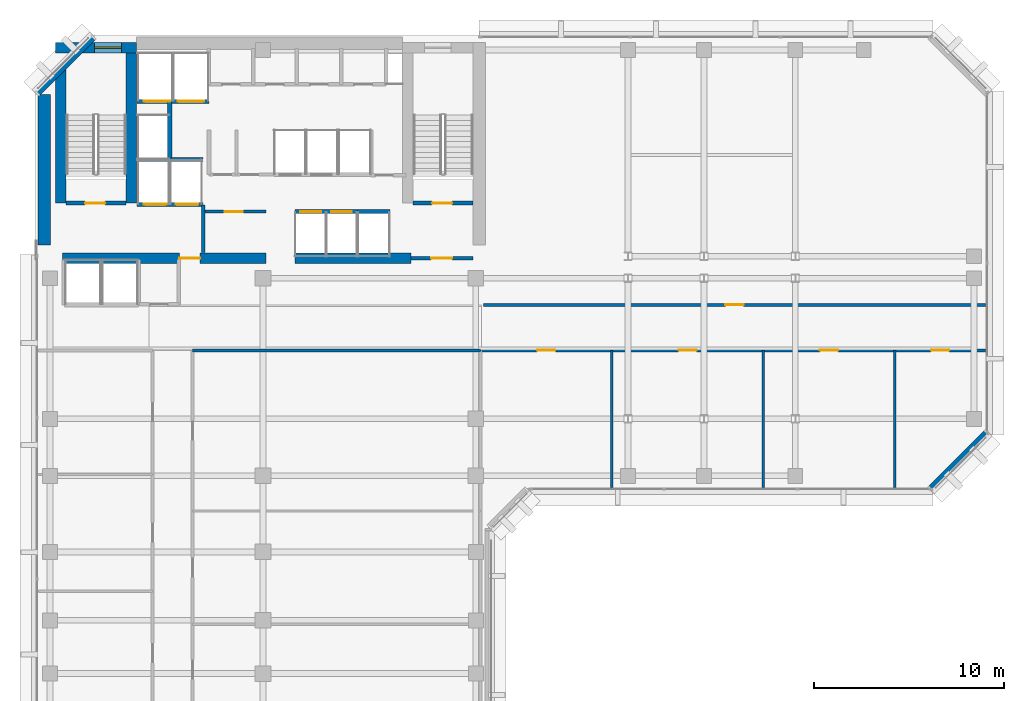
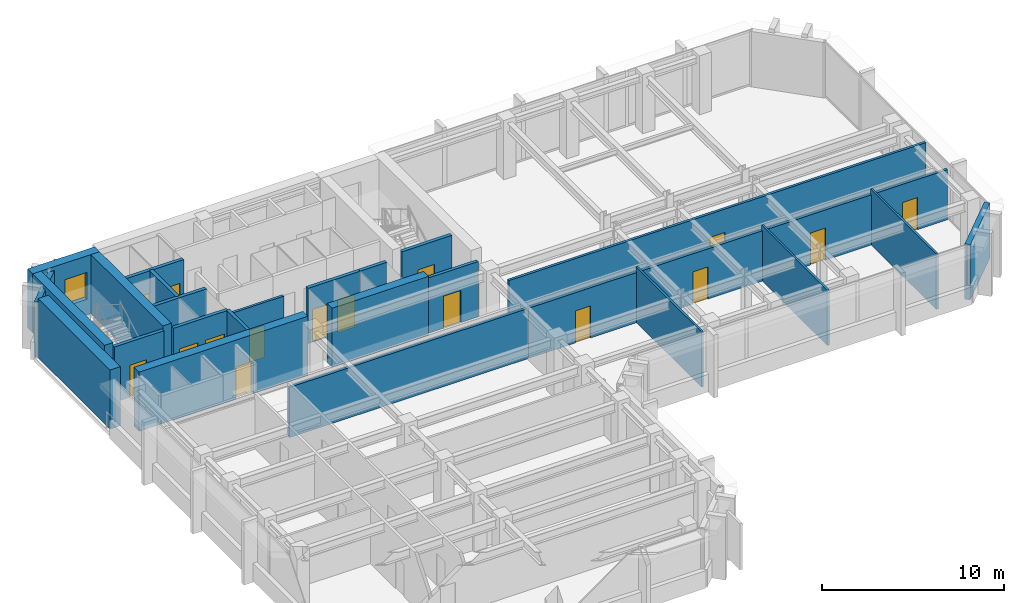
# One storey, part 7 of 12: 25 walls, 16 doors, 1 window, 17 openings.
"""IFC4 building model written with IfcOpenShell, lengths in metres."""

from ifc_helpers import new_model, si_unit, direction, frame, frame_2d, origin, place, context, subcontext, project, spatial, rectangle, extrude, material, layer, layer_set, type_object, element, fill, save


model = new_model("IFC4")

# Units and contexts
model_context = context("Model", 3, precision=1e-05, world=origin(), true_north=direction((0.0, 1.0)))
body_context = subcontext(model_context, "Body", "Model", "MODEL_VIEW")
ifc_project = project(units=[si_unit("LENGTHUNIT", "METRE"), si_unit("AREAUNIT", "SQUARE_METRE"), si_unit("VOLUMEUNIT", "CUBIC_METRE"), si_unit("PLANEANGLEUNIT", "RADIAN"), si_unit("MASSUNIT", "GRAM", prefix="KILO")], contexts=[model_context])

# Site, building, storey
site_placement = place(None, origin())
site = spatial("IfcSite", under=ifc_project, at=site_placement, CompositionType="ELEMENT")
building_placement = place(site_placement, origin())
building = spatial("IfcBuilding", under=site, at=building_placement, Name="Kefirva Bronze Tower", CompositionType="ELEMENT")
storey_placement = place(building_placement, frame((0.0, 0.0, 195.360107421875)))
storey = spatial("IfcBuildingStorey", under=building, at=storey_placement, Name="L47", CompositionType="ELEMENT", Elevation=195.360107421875)

# Walls
ifc_material_1 = material(Name="Gypsum acoustic partition")
ifc_layer_1 = layer(ifc_material_1, 0.1298828125, Name="Gypsum acoustic partition")
ifc_layer_set_1 = layer_set([ifc_layer_1], Name="Gypsum acoustic partition")
wall_type_1 = type_object("IfcWallType", Name="Acoustic Office Partition 130mm", PredefinedType="PARTITIONING", material=ifc_layer_set_1)
for number, where, z_axis, x_axis, name in (
    (1, (30.355712890625, 22.18994140625, 0.0), (0.0, 0.0, 1.0), (0.0, 1.0, 0.0), "L47 Partition W-L47-ESD1"),
    (2, (38.323486328125, 22.18994140625, 0.0), (0.0, 0.0, 1.0), (0.0, 1.0, 0.0), "L47 Partition W-L47-ESD2"),
    (3, (45.229248046875, 22.18994140625, 0.0), (0.0, 0.0, 1.0), (0.0, 1.0, 0.0), "L47 Partition W-L47-ESD3"),
):
    element("IfcWall", number, at=place(storey_placement, frame(where, z_axis=z_axis, x_axis=x_axis)), inside=storey, type_object=wall_type_1, Name=name, PredefinedType="PARTITIONING", context=body_context, shape_type="SweptSolid", body=[
        extrude(rectangle(XDim=7.2099609375, YDim=0.1298828125, at=frame_2d((3.60498046875, 0.0))), origin(), (0.0, 0.0, 1.0), 3.7099609375),
    ])

# Wall, opening, door
ifc_material_2 = material(Name="Gypsum fireboard shaftwall")
ifc_layer_2 = layer(ifc_material_2, 0.219970703125, Name="Gypsum fireboard shaftwall")
ifc_layer_set_2 = layer_set([ifc_layer_2], Name="Gypsum fireboard shaftwall")
wall_type_2 = type_object("IfcWallType", Name="Fire-Rated Shaft Enclosure Wall 220mm", PredefinedType="PARTITIONING", material=ifc_layer_set_2)
wall_1_placement = place(storey_placement, frame((1.64990234375, 37.14990234375, 0.0), z_axis=(0.0, 0.0, 1.0), x_axis=(1.0, 0.0, 0.0)))
wall_1 = element("IfcWall", 4, at=wall_1_placement, inside=storey, type_object=wall_type_2, Name="L47 Partition W-L47-ST1S", PredefinedType="PARTITIONING", context=body_context, shape_type="SweptSolid", body=[
    extrude(rectangle(XDim=3.150146484375, YDim=0.219970703125, at=frame_2d((1.5751953125, 0.0))), origin(), (0.0, 0.0, 1.0), 3.7099609375),
])
opening_1_placement = place(wall_1_placement, frame((2.050048828125, 0.0, 0.0), z_axis=(0.0, 0.0, 1.0), x_axis=(-1.0, 0.0, 0.0)))
opening_1 = element("IfcOpeningElement", 5, at=opening_1_placement, cuts=wall_1, Name="Opening L47-D001", PredefinedType="OPENING", context=body_context, shape_type="SweptSolid", body=[
    extrude(rectangle(XDim=1.050048828125, YDim=2.14990234375, at=frame_2d((0.52490234375, 1.074951171875))), frame((0.0, 0.1201171875, 0.0), z_axis=(0.0, -1.0, 0.0), x_axis=(1.0, 0.0, 0.0)), (0.0, 0.0, 1.0), 0.239990234375),
])
ifc_material_3 = material(Name="Painted galvanized steel", Category="steel")
door_type_1 = type_object("IfcDoorType", Name="Fire Stair Enclosure Door 1050x2150 FD90S", OperationType="NOTDEFINED", PredefinedType="DOOR", material=ifc_material_3)
door_1_placement = place(opening_1_placement, origin())
door_1 = element("IfcDoor", 6, at=door_1_placement, inside=storey, type_object=door_type_1, Name="Door L47-D001", OperationType="SINGLE_SWING_LEFT", OverallHeight=2.14990234375, OverallWidth=1.050048828125, PredefinedType="DOOR", context=body_context, shape_type="SweptSolid", body=[
    extrude(rectangle(XDim=1.050048828125, YDim=2.14990234375, at=frame_2d((0.52490234375, 1.074951171875))), frame((0.0, 0.02490234375, 0.0), z_axis=(0.0, -1.0, 0.0), x_axis=(1.0, 0.0, 0.0)), (0.0, 0.0, 1.0), 0.050048828125),
])
fill(opening_1, door_1)

wall_2_placement = place(storey_placement, frame((19.89990234375, 37.14990234375, 0.0), z_axis=(0.0, 0.0, 1.0), x_axis=(1.0, 0.0, 0.0)))
wall_2 = element("IfcWall", 7, at=wall_2_placement, inside=storey, type_object=wall_type_2, Name="L47 Partition W-L47-ST2S", PredefinedType="PARTITIONING", context=body_context, shape_type="SweptSolid", body=[
    extrude(rectangle(XDim=3.150146484375, YDim=0.219970703125, at=frame_2d((1.5751953125, 0.0))), origin(), (0.0, 0.0, 1.0), 3.7099609375),
])
opening_2_placement = place(wall_2_placement, frame((2.050048828125, 0.0, 0.0), z_axis=(0.0, 0.0, 1.0), x_axis=(-1.0, 0.0, 0.0)))
opening_2 = element("IfcOpeningElement", 8, at=opening_2_placement, cuts=wall_2, Name="Opening L47-D003", PredefinedType="OPENING", context=body_context, shape_type="SweptSolid", body=[
    extrude(rectangle(XDim=1.050048828125, YDim=2.14990234375, at=frame_2d((0.52490234375, 1.074951171875))), frame((0.0, 0.1201171875, 0.0), z_axis=(0.0, -1.0, 0.0), x_axis=(1.0, 0.0, 0.0)), (0.0, 0.0, 1.0), 0.239990234375),
])
door_2_placement = place(opening_2_placement, origin())
door_2 = element("IfcDoor", 9, at=door_2_placement, inside=storey, type_object=door_type_1, Name="Door L47-D003", OperationType="SINGLE_SWING_LEFT", OverallHeight=2.14990234375, OverallWidth=1.050048828125, PredefinedType="DOOR", context=body_context, shape_type="SweptSolid", body=[
    extrude(rectangle(XDim=1.050048828125, YDim=2.14990234375, at=frame_2d((0.52490234375, 1.074951171875))), frame((0.0, 0.02490234375, 0.0), z_axis=(0.0, -1.0, 0.0), x_axis=(1.0, 0.0, 0.0)), (0.0, 0.0, 1.0), 0.050048828125),
])
fill(opening_2, door_2)

# Wall, openings, doors
wall_3_placement = place(storey_placement, frame((5.3798828125, 37.080078125, 0.0), z_axis=(0.0, 0.0, 1.0), x_axis=(1.0, 0.0, 0.0)))
wall_3 = element("IfcWall", 10, at=wall_3_placement, inside=storey, type_object=wall_type_2, Name="L47 Partition W-L47-FFS", PredefinedType="PARTITIONING", context=body_context, shape_type="SweptSolid", body=[
    extrude(rectangle(XDim=3.460205078125, YDim=0.219970703125, at=frame_2d((1.72998046875, 0.0))), origin(), (0.0, 0.0, 1.0), 3.7099609375),
])
opening_3_placement = place(wall_3_placement, frame((1.550048828125, 0.0, 0.0), z_axis=(0.0, 0.0, 1.0), x_axis=(-1.0, 0.0, 0.0)))
opening_3 = element("IfcOpeningElement", 11, at=opening_3_placement, cuts=wall_3, Name="Opening L47-LD-FF1", PredefinedType="OPENING", context=body_context, shape_type="SweptSolid", body=[
    extrude(rectangle(XDim=1.199951171875, YDim=2.199951171875, at=frame_2d((0.60009765625, 1.10009765625))), frame((0.0, 0.1201171875, 0.0), z_axis=(0.0, -1.0, 0.0), x_axis=(1.0, 0.0, 0.0)), (0.0, 0.0, 1.0), 0.239990234375),
])
opening_4_placement = place(wall_3_placement, frame((3.219970703125, 0.0, 0.0), z_axis=(0.0, 0.0, 1.0), x_axis=(-1.0, 0.0, 0.0)))
opening_4 = element("IfcOpeningElement", 12, at=opening_4_placement, cuts=wall_3, Name="Opening L47-LD-FF2", PredefinedType="OPENING", context=body_context, shape_type="SweptSolid", body=[
    extrude(rectangle(XDim=1.199951171875, YDim=2.199951171875, at=frame_2d((0.60009765625, 1.10009765625))), frame((0.0, 0.1201171875, 0.0), z_axis=(0.0, -1.0, 0.0), x_axis=(1.0, 0.0, 0.0)), (0.0, 0.0, 1.0), 0.239990234375),
])
ifc_material_4 = material(Name="Stainless steel 316", Category="steel")
door_type_2 = type_object("IfcDoorType", Name="Firefighting Lift Sliding Door 1200x2200", OperationType="SLIDING_TO_RIGHT", PredefinedType="DOOR", material=ifc_material_4)
door_3_placement = place(opening_3_placement, origin())
door_3 = element("IfcDoor", 13, at=door_3_placement, inside=storey, type_object=door_type_2, Name="Door L47-LD-FF1", OperationType="SLIDING_TO_RIGHT", OverallHeight=2.199951171875, OverallWidth=1.199951171875, PredefinedType="DOOR", context=body_context, shape_type="SweptSolid", body=[
    extrude(rectangle(XDim=1.199951171875, YDim=2.199951171875, at=frame_2d((0.60009765625, 1.10009765625))), frame((0.0, 0.02490234375, 0.0), z_axis=(0.0, -1.0, 0.0), x_axis=(1.0, 0.0, 0.0)), (0.0, 0.0, 1.0), 0.050048828125),
])
fill(opening_3, door_3)
door_4_placement = place(opening_4_placement, origin())
door_4 = element("IfcDoor", 14, at=door_4_placement, inside=storey, type_object=door_type_2, Name="Door L47-LD-FF2", OperationType="SLIDING_TO_RIGHT", OverallHeight=2.199951171875, OverallWidth=1.199951171875, PredefinedType="DOOR", context=body_context, shape_type="SweptSolid", body=[
    extrude(rectangle(XDim=1.199951171875, YDim=2.199951171875, at=frame_2d((0.60009765625, 1.10009765625))), frame((0.0, 0.02490234375, 0.0), z_axis=(0.0, -1.0, 0.0), x_axis=(1.0, 0.0, 0.0)), (0.0, 0.0, 1.0), 0.050048828125),
])
fill(opening_4, door_4)

# Wall
wall_4_placement = place(storey_placement, frame((5.3798828125, 39.449951171875, 0.0), z_axis=(0.0, 0.0, 1.0), x_axis=(1.0, 0.0, 0.0)))
element("IfcWall", 15, at=wall_4_placement, inside=storey, type_object=wall_type_2, Name="L47 Partition W-L47-FFN", PredefinedType="PARTITIONING", context=body_context, shape_type="SweptSolid", body=[
    extrude(rectangle(XDim=3.460205078125, YDim=0.219970703125, at=frame_2d((1.72998046875, 0.0))), origin(), (0.0, 0.0, 1.0), 3.7099609375),
])

# Wall, openings, doors
wall_5_placement = place(storey_placement, frame((5.3798828125, 42.5, 0.0), z_axis=(0.0, 0.0, 1.0), x_axis=(1.0, 0.0, 0.0)))
wall_5 = element("IfcWall", 16, at=wall_5_placement, inside=storey, type_object=wall_type_2, Name="L47 Partition W-L47-SVS", PredefinedType="PARTITIONING", context=body_context, shape_type="SweptSolid", body=[
    extrude(rectangle(XDim=3.77001953125, YDim=0.219970703125, at=frame_2d((1.885009765625, 0.0))), origin(), (0.0, 0.0, 1.0), 3.7099609375),
])
opening_5_placement = place(wall_5_placement, frame((1.75, 0.0, 0.0), z_axis=(0.0, 0.0, 1.0), x_axis=(-1.0, 0.0, 0.0)))
opening_5 = element("IfcOpeningElement", 17, at=opening_5_placement, cuts=wall_5, Name="Opening L47-LD-SV1", PredefinedType="OPENING", context=body_context, shape_type="SweptSolid", body=[
    extrude(rectangle(XDim=1.39990234375, YDim=2.199951171875, at=frame_2d((0.699951171875, 1.10009765625))), frame((0.0, 0.1201171875, 0.0), z_axis=(0.0, -1.0, 0.0), x_axis=(1.0, 0.0, 0.0)), (0.0, 0.0, 1.0), 0.239990234375),
])
opening_6_placement = place(wall_5_placement, frame((3.52978515625, 0.0, 0.0), z_axis=(0.0, 0.0, 1.0), x_axis=(-1.0, 0.0, 0.0)))
opening_6 = element("IfcOpeningElement", 18, at=opening_6_placement, cuts=wall_5, Name="Opening L47-LD-SV2", PredefinedType="OPENING", context=body_context, shape_type="SweptSolid", body=[
    extrude(rectangle(XDim=1.39990234375, YDim=2.199951171875, at=frame_2d((0.699951171875, 1.10009765625))), frame((0.0, 0.1201171875, 0.0), z_axis=(0.0, -1.0, 0.0), x_axis=(1.0, 0.0, 0.0)), (0.0, 0.0, 1.0), 0.239990234375),
])
door_type_3 = type_object("IfcDoorType", Name="Goods Lift Bi-Parting Sliding Door 1400x2200", OperationType="SLIDING_TO_LEFT", PredefinedType="DOOR", material=ifc_material_4)
door_5_placement = place(opening_5_placement, origin())
door_5 = element("IfcDoor", 19, at=door_5_placement, inside=storey, type_object=door_type_3, Name="Door L47-LD-SV1", OperationType="SLIDING_TO_LEFT", OverallHeight=2.199951171875, OverallWidth=1.39990234375, PredefinedType="DOOR", context=body_context, shape_type="SweptSolid", body=[
    extrude(rectangle(XDim=1.39990234375, YDim=2.199951171875, at=frame_2d((0.699951171875, 1.10009765625))), frame((0.0, 0.02490234375, 0.0), z_axis=(0.0, -1.0, 0.0), x_axis=(1.0, 0.0, 0.0)), (0.0, 0.0, 1.0), 0.050048828125),
])
fill(opening_5, door_5)
door_6_placement = place(opening_6_placement, origin())
door_6 = element("IfcDoor", 20, at=door_6_placement, inside=storey, type_object=door_type_3, Name="Door L47-LD-SV2", OperationType="SLIDING_TO_LEFT", OverallHeight=2.199951171875, OverallWidth=1.39990234375, PredefinedType="DOOR", context=body_context, shape_type="SweptSolid", body=[
    extrude(rectangle(XDim=1.39990234375, YDim=2.199951171875, at=frame_2d((0.699951171875, 1.10009765625))), frame((0.0, 0.02490234375, 0.0), z_axis=(0.0, -1.0, 0.0), x_axis=(1.0, 0.0, 0.0)), (0.0, 0.0, 1.0), 0.050048828125),
])
fill(opening_6, door_6)

# Wall
wall_6_placement = place(storey_placement, frame((7.10009765625, 39.52001953125, 0.0), z_axis=(0.0, 0.0, 1.0), x_axis=(0.0, 1.0, 0.0)))
element("IfcWall", 21, at=wall_6_placement, inside=storey, type_object=wall_type_2, Name="L47 Partition W-L47-HP3E", PredefinedType="PARTITIONING", context=body_context, shape_type="SweptSolid", body=[
    extrude(rectangle(XDim=2.929931640625, YDim=0.219970703125, at=frame_2d((1.46484375, 0.0))), origin(), (0.0, 0.0, 1.0), 3.7099609375),
])

# Wall, openings, doors
wall_7_placement = place(storey_placement, frame((13.679931640625, 36.699951171875, 0.0), z_axis=(0.0, 0.0, 1.0), x_axis=(1.0, 0.0, 0.0)))
wall_7 = element("IfcWall", 22, at=wall_7_placement, inside=storey, type_object=wall_type_2, Name="L47 Partition W-L47-MPS", PredefinedType="PARTITIONING", context=body_context, shape_type="SweptSolid", body=[
    extrude(rectangle(XDim=3.280029296875, YDim=0.219970703125, at=frame_2d((1.64013671875, 0.0))), origin(), (0.0, 0.0, 1.0), 3.7099609375),
])
opening_7_placement = place(wall_7_placement, frame((0.280029296875, 0.0, 0.0)))
opening_7 = element("IfcOpeningElement", 23, at=opening_7_placement, cuts=wall_7, Name="Opening L47-LD-MP1", PredefinedType="OPENING", context=body_context, shape_type="SweptSolid", body=[
    extrude(rectangle(XDim=1.10009765625, YDim=2.199951171875, at=frame_2d((0.550048828125, 1.10009765625))), frame((0.0, 0.1201171875, 0.0), z_axis=(0.0, -1.0, 0.0), x_axis=(1.0, 0.0, 0.0)), (0.0, 0.0, 1.0), 0.239990234375),
])
opening_8_placement = place(wall_7_placement, frame((1.89990234375, 0.0, 0.0)))
opening_8 = element("IfcOpeningElement", 24, at=opening_8_placement, cuts=wall_7, Name="Opening L47-LD-MP2", PredefinedType="OPENING", context=body_context, shape_type="SweptSolid", body=[
    extrude(rectangle(XDim=1.10009765625, YDim=2.199951171875, at=frame_2d((0.550048828125, 1.10009765625))), frame((0.0, 0.1201171875, 0.0), z_axis=(0.0, -1.0, 0.0), x_axis=(1.0, 0.0, 0.0)), (0.0, 0.0, 1.0), 0.239990234375),
])
door_type_4 = type_object("IfcDoorType", Name="Passenger Lift Sliding Landing Door 1100x2200", OperationType="SLIDING_TO_LEFT", PredefinedType="DOOR", material=ifc_material_4)
door_7_placement = place(opening_7_placement, origin())
door_7 = element("IfcDoor", 25, at=door_7_placement, inside=storey, type_object=door_type_4, Name="Door L47-LD-MP1", OperationType="SLIDING_TO_RIGHT", OverallHeight=2.199951171875, OverallWidth=1.10009765625, PredefinedType="DOOR", context=body_context, shape_type="SweptSolid", body=[
    extrude(rectangle(XDim=1.10009765625, YDim=2.199951171875, at=frame_2d((0.550048828125, 1.10009765625))), frame((0.0, 0.02490234375, 0.0), z_axis=(0.0, -1.0, 0.0), x_axis=(1.0, 0.0, 0.0)), (0.0, 0.0, 1.0), 0.050048828125),
])
fill(opening_7, door_7)
door_8_placement = place(opening_8_placement, origin())
door_8 = element("IfcDoor", 26, at=door_8_placement, inside=storey, type_object=door_type_4, Name="Door L47-LD-MP2", OperationType="SLIDING_TO_RIGHT", OverallHeight=2.199951171875, OverallWidth=1.10009765625, PredefinedType="DOOR", context=body_context, shape_type="SweptSolid", body=[
    extrude(rectangle(XDim=1.10009765625, YDim=2.199951171875, at=frame_2d((0.550048828125, 1.10009765625))), frame((0.0, 0.02490234375, 0.0), z_axis=(0.0, -1.0, 0.0), x_axis=(1.0, 0.0, 0.0)), (0.0, 0.0, 1.0), 0.050048828125),
])
fill(opening_8, door_8)

# Walls
wall_8_placement = place(storey_placement, frame((16.97998046875, 36.699951171875, 0.0), z_axis=(0.0, 0.0, 1.0), x_axis=(1.0, 0.0, 0.0)))
element("IfcWall", 27, at=wall_8_placement, inside=storey, type_object=wall_type_2, Name="L47 Partition W-L47-HPS", PredefinedType="PARTITIONING", context=body_context, shape_type="SweptSolid", body=[
    extrude(rectangle(XDim=1.699951171875, YDim=0.219970703125, at=frame_2d((0.85009765625, 0.0))), origin(), (0.0, 0.0, 1.0), 3.7099609375),
])
ifc_material_5 = material(Name="Gypsum fireboard barrier")
ifc_layer_3 = layer(ifc_material_5, 0.199951171875, Name="Gypsum fireboard barrier")
ifc_layer_set_3 = layer_set([ifc_layer_3], Name="Gypsum fireboard barrier")
wall_type_3 = type_object("IfcWallType", Name="Firefighting Lobby Barrier Wall 200mm", PredefinedType="PARTITIONING", material=ifc_layer_set_3)
wall_9_placement = place(storey_placement, frame((8.860107421875, 34.550048828125, 0.0), z_axis=(0.0, 0.0, 1.0), x_axis=(0.0, 1.0, 0.0)))
element("IfcWall", 28, at=wall_9_placement, inside=storey, type_object=wall_type_3, Name="L47 Partition W-L47-FFLE", PredefinedType="PARTITIONING", context=body_context, shape_type="SweptSolid", body=[
    extrude(rectangle(XDim=2.5, YDim=0.199951171875, at=frame_2d((1.25, 0.0))), origin(), (0.0, 0.0, 1.0), 3.7099609375),
])

# Wall, opening, door
wall_10_placement = place(storey_placement, frame((19.800048828125, 34.25, 0.0), z_axis=(0.0, 0.0, 1.0), x_axis=(1.0, 0.0, 0.0)))
wall_10 = element("IfcWall", 29, at=wall_10_placement, inside=storey, type_object=wall_type_3, Name="L47 Partition W-L47-ST2F", PredefinedType="PARTITIONING", context=body_context, shape_type="SweptSolid", body=[
    extrude(rectangle(XDim=3.25, YDim=0.199951171875, at=frame_2d((1.625, 0.0))), origin(), (0.0, 0.0, 1.0), 3.7099609375),
])
opening_9_placement = place(wall_10_placement, frame((2.150146484375, 0.0, 0.0), z_axis=(0.0, 0.0, 1.0), x_axis=(-1.0, 0.0, 0.0)))
opening_9 = element("IfcOpeningElement", 30, at=opening_9_placement, cuts=wall_10, Name="Opening L47-D004", PredefinedType="OPENING", context=body_context, shape_type="SweptSolid", body=[
    extrude(rectangle(XDim=1.10009765625, YDim=2.14990234375, at=frame_2d((0.550048828125, 1.074951171875))), frame((0.0, 0.10986328125, 0.0), z_axis=(0.0, -1.0, 0.0), x_axis=(1.0, 0.0, 0.0)), (0.0, 0.0, 1.0), 0.219970703125),
])
door_type_5 = type_object("IfcDoorType", Name="Firefighting Lobby Smoke Door 1100x2150 FD60S", OperationType="NOTDEFINED", PredefinedType="DOOR", material=ifc_material_3)
door_9_placement = place(opening_9_placement, origin())
door_9 = element("IfcDoor", 31, at=door_9_placement, inside=storey, type_object=door_type_5, Name="Door L47-D004", OperationType="SINGLE_SWING_RIGHT", OverallHeight=2.14990234375, OverallWidth=1.10009765625, PredefinedType="DOOR", context=body_context, shape_type="SweptSolid", body=[
    extrude(rectangle(XDim=1.10009765625, YDim=2.14990234375, at=frame_2d((0.550048828125, 1.074951171875))), frame((0.0, 0.02490234375, 0.0), z_axis=(0.0, -1.0, 0.0), x_axis=(1.0, 0.0, 0.0)), (0.0, 0.0, 1.0), 0.050048828125),
])
fill(opening_9, door_9)

# Walls
ifc_material_6 = material(Name="Precast concrete C40/50", Category="concrete")
ifc_layer_4 = layer(ifc_material_6, 0.320068359375, Name="Precast concrete C40/50")
ifc_layer_set_4 = layer_set([ifc_layer_4], Name="Precast concrete C40/50")
wall_type_4 = type_object("IfcWallType", Name="Precast Insulated Exterior Wall 320mm", PredefinedType="SOLIDWALL", material=ifc_layer_set_4)
for number, where, z_axis, x_axis, name in (
    (32, (47.125732421875, 22.152099609375, 0.0), (0.0, 0.0, 1.0), (0.707136318428, 0.707077242712, 0.0), "L47 Exterior Facade Wall 4"),
    (33, (3.07421875, 45.847900390625, 0.0), (0.0, 0.0, 1.0), (-0.707106781187, -0.707106781187, 0.0), "L47 Exterior Facade Wall 6"),
):
    element("IfcWall", number, at=place(storey_placement, frame(where, z_axis=z_axis, x_axis=x_axis)), inside=storey, type_object=wall_type_4, Name=name, PredefinedType="SOLIDWALL", context=body_context, shape_type="SweptSolid", body=[
        extrude(rectangle(XDim=4.132568359375, YDim=0.320068359375, at=frame_2d((2.06640625, 0.0))), origin(), (0.0, 0.0, 1.0), 3.7099609375),
    ])

# Wall, opening, door
ifc_layer_5 = layer(ifc_material_1, 0.159912109375, Name="Gypsum acoustic partition")
ifc_layer_set_5 = layer_set([ifc_layer_5], Name="Gypsum acoustic partition")
wall_type_5 = type_object("IfcWallType", Name="Protected Corridor Partition 160mm", PredefinedType="PARTITIONING", material=ifc_layer_set_5)
wall_11_placement = place(storey_placement, frame((8.89990234375, 36.699951171875, 0.0), z_axis=(0.0, 0.0, 1.0), x_axis=(1.0, 0.0, 0.0)))
wall_11 = element("IfcWall", 34, at=wall_11_placement, inside=storey, type_object=wall_type_5, Name="L47 Partition W-L47-RECLP1", PredefinedType="PARTITIONING", context=body_context, shape_type="SweptSolid", body=[
    extrude(rectangle(XDim=3.25, YDim=0.159912109375, at=frame_2d((1.625, 0.0))), origin(), (0.0, 0.0, 1.0), 3.7099609375),
])
opening_10_placement = place(wall_11_placement, frame((1.10009765625, 0.0, 0.0)))
opening_10 = element("IfcOpeningElement", 35, at=opening_10_placement, cuts=wall_11, Name="Opening L47-D-RECLP1", PredefinedType="OPENING", context=body_context, shape_type="SweptSolid", body=[
    extrude(rectangle(XDim=0.949951171875, YDim=2.14990234375, at=frame_2d((0.47509765625, 1.074951171875))), frame((0.0, 0.08984375, 0.0), z_axis=(0.0, -1.0, 0.0), x_axis=(1.0, 0.0, 0.0)), (0.0, 0.0, 1.0), 0.179931640625),
])
ifc_material_7 = material(Name="Acoustic hardwood oak", Category="wood")
door_type_6 = type_object("IfcDoorType", Name="Office & Meeting Room Door 950x2150", OperationType="NOTDEFINED", PredefinedType="DOOR", material=ifc_material_7)
door_10_placement = place(opening_10_placement, origin())
door_10 = element("IfcDoor", 36, at=door_10_placement, inside=storey, type_object=door_type_6, Name="Door L47-D-RECLP1", OperationType="SINGLE_SWING_LEFT", OverallHeight=2.14990234375, OverallWidth=0.949951171875, PredefinedType="DOOR", context=body_context, shape_type="SweptSolid", body=[
    extrude(rectangle(XDim=0.949951171875, YDim=2.14990234375, at=frame_2d((0.47509765625, 1.074951171875))), frame((0.0, 0.02490234375, 0.0), z_axis=(0.0, -1.0, 0.0), x_axis=(1.0, 0.0, 0.0)), (0.0, 0.0, 1.0), 0.050048828125),
])
fill(opening_10, door_10)

# Wall
wall_12_placement = place(storey_placement, frame((8.300048828125, 29.39990234375, 0.0), z_axis=(0.0, 0.0, 1.0), x_axis=(1.0, 0.0, 0.0)))
element("IfcWall", 37, at=wall_12_placement, inside=storey, type_object=wall_type_5, Name="L47 Partition W-L47-NET", PredefinedType="PARTITIONING", context=body_context, shape_type="SweptSolid", body=[
    extrude(rectangle(XDim=15.14990234375, YDim=0.159912109375, at=frame_2d((7.574951171875, 0.0))), origin(), (0.0, 0.0, 1.0), 3.364990234375),
])

# Wall, openings, doors
wall_13_placement = place(storey_placement, frame((23.449951171875, 29.39990234375, 0.0), z_axis=(0.0, 0.0, 1.0), x_axis=(1.0, 0.0, 0.0)))
wall_13 = element("IfcWall", 38, at=wall_13_placement, inside=storey, type_object=wall_type_5, Name="L47 Partition W-L47-EWS", PredefinedType="PARTITIONING", context=body_context, shape_type="SweptSolid", body=[
    extrude(rectangle(XDim=26.56005859375, YDim=0.159912109375, at=frame_2d((13.280029296875, 0.0))), origin(), (0.0, 0.0, 1.0), 3.364990234375),
])
opening_11_placement = place(wall_13_placement, frame((3.927734375, 0.0, 0.0), z_axis=(0.0, 0.0, 1.0), x_axis=(-1.0, 0.0, 0.0)))
opening_11 = element("IfcOpeningElement", 39, at=opening_11_placement, cuts=wall_13, Name="Opening L47-D-ES1", PredefinedType="OPENING", context=body_context, shape_type="SweptSolid", body=[
    extrude(rectangle(XDim=0.949951171875, YDim=2.14990234375, at=frame_2d((0.47509765625, 1.074951171875))), frame((0.0, 0.08984375, 0.0), z_axis=(0.0, -1.0, 0.0), x_axis=(1.0, 0.0, 0.0)), (0.0, 0.0, 1.0), 0.179931640625),
])
opening_12_placement = place(wall_13_placement, frame((11.364501953125, 0.0, 0.0), z_axis=(0.0, 0.0, 1.0), x_axis=(-1.0, 0.0, 0.0)))
opening_12 = element("IfcOpeningElement", 40, at=opening_12_placement, cuts=wall_13, Name="Opening L47-D-ES2", PredefinedType="OPENING", context=body_context, shape_type="SweptSolid", body=[
    extrude(rectangle(XDim=0.949951171875, YDim=2.14990234375, at=frame_2d((0.47509765625, 1.074951171875))), frame((0.0, 0.08984375, 0.0), z_axis=(0.0, -1.0, 0.0), x_axis=(1.0, 0.0, 0.0)), (0.0, 0.0, 1.0), 0.179931640625),
])
opening_13_placement = place(wall_13_placement, frame((18.80126953125, 0.0, 0.0), z_axis=(0.0, 0.0, 1.0), x_axis=(-1.0, 0.0, 0.0)))
opening_13 = element("IfcOpeningElement", 41, at=opening_13_placement, cuts=wall_13, Name="Opening L47-D-ES3", PredefinedType="OPENING", context=body_context, shape_type="SweptSolid", body=[
    extrude(rectangle(XDim=0.949951171875, YDim=2.14990234375, at=frame_2d((0.47509765625, 1.074951171875))), frame((0.0, 0.08984375, 0.0), z_axis=(0.0, -1.0, 0.0), x_axis=(1.0, 0.0, 0.0)), (0.0, 0.0, 1.0), 0.179931640625),
])
opening_14_placement = place(wall_13_placement, frame((24.64453125, 0.0, 0.0), z_axis=(0.0, 0.0, 1.0), x_axis=(-1.0, 0.0, 0.0)))
opening_14 = element("IfcOpeningElement", 42, at=opening_14_placement, cuts=wall_13, Name="Opening L47-D-ES4", PredefinedType="OPENING", context=body_context, shape_type="SweptSolid", body=[
    extrude(rectangle(XDim=0.949951171875, YDim=2.14990234375, at=frame_2d((0.47509765625, 1.074951171875))), frame((0.0, 0.08984375, 0.0), z_axis=(0.0, -1.0, 0.0), x_axis=(1.0, 0.0, 0.0)), (0.0, 0.0, 1.0), 0.179931640625),
])
door_11_placement = place(opening_11_placement, origin())
door_11 = element("IfcDoor", 43, at=door_11_placement, inside=storey, type_object=door_type_6, Name="Door L47-D-ES1", OperationType="SINGLE_SWING_LEFT", OverallHeight=2.14990234375, OverallWidth=0.949951171875, PredefinedType="DOOR", context=body_context, shape_type="SweptSolid", body=[
    extrude(rectangle(XDim=0.949951171875, YDim=2.14990234375, at=frame_2d((0.47509765625, 1.074951171875))), frame((0.0, 0.02490234375, 0.0), z_axis=(0.0, -1.0, 0.0), x_axis=(1.0, 0.0, 0.0)), (0.0, 0.0, 1.0), 0.050048828125),
])
fill(opening_11, door_11)
door_12_placement = place(opening_12_placement, origin())
door_12 = element("IfcDoor", 44, at=door_12_placement, inside=storey, type_object=door_type_6, Name="Door L47-D-ES2", OperationType="SINGLE_SWING_RIGHT", OverallHeight=2.14990234375, OverallWidth=0.949951171875, PredefinedType="DOOR", context=body_context, shape_type="SweptSolid", body=[
    extrude(rectangle(XDim=0.949951171875, YDim=2.14990234375, at=frame_2d((0.47509765625, 1.074951171875))), frame((0.0, 0.02490234375, 0.0), z_axis=(0.0, -1.0, 0.0), x_axis=(1.0, 0.0, 0.0)), (0.0, 0.0, 1.0), 0.050048828125),
])
fill(opening_12, door_12)
door_13_placement = place(opening_13_placement, origin())
door_13 = element("IfcDoor", 45, at=door_13_placement, inside=storey, type_object=door_type_6, Name="Door L47-D-ES3", OperationType="SINGLE_SWING_LEFT", OverallHeight=2.14990234375, OverallWidth=0.949951171875, PredefinedType="DOOR", context=body_context, shape_type="SweptSolid", body=[
    extrude(rectangle(XDim=0.949951171875, YDim=2.14990234375, at=frame_2d((0.47509765625, 1.074951171875))), frame((0.0, 0.02490234375, 0.0), z_axis=(0.0, -1.0, 0.0), x_axis=(1.0, 0.0, 0.0)), (0.0, 0.0, 1.0), 0.050048828125),
])
fill(opening_13, door_13)
door_14_placement = place(opening_14_placement, origin())
door_14 = element("IfcDoor", 46, at=door_14_placement, inside=storey, type_object=door_type_6, Name="Door L47-D-ES4", OperationType="SINGLE_SWING_RIGHT", OverallHeight=2.14990234375, OverallWidth=0.949951171875, PredefinedType="DOOR", context=body_context, shape_type="SweptSolid", body=[
    extrude(rectangle(XDim=0.949951171875, YDim=2.14990234375, at=frame_2d((0.47509765625, 1.074951171875))), frame((0.0, 0.02490234375, 0.0), z_axis=(0.0, -1.0, 0.0), x_axis=(1.0, 0.0, 0.0)), (0.0, 0.0, 1.0), 0.050048828125),
])
fill(opening_14, door_14)

# Wall, opening, door
wall_14_placement = place(storey_placement, frame((23.60009765625, 31.800048828125, 0.0), z_axis=(0.0, 0.0, 1.0), x_axis=(1.0, 0.0, 0.0)))
wall_14 = element("IfcWall", 47, at=wall_14_placement, inside=storey, type_object=wall_type_5, Name="L47 Partition W-L47-EWN", PredefinedType="PARTITIONING", context=body_context, shape_type="SweptSolid", body=[
    extrude(rectangle(XDim=26.409912109375, YDim=0.159912109375, at=frame_2d((13.205078125, 0.0))), origin(), (0.0, 0.0, 1.0), 3.7099609375),
])
opening_15_placement = place(wall_14_placement, frame((12.72998046875, 0.0, 0.0)))
opening_15 = element("IfcOpeningElement", 48, at=opening_15_placement, cuts=wall_14, Name="Opening L47-D-EN1", PredefinedType="OPENING", context=body_context, shape_type="SweptSolid", body=[
    extrude(rectangle(XDim=0.949951171875, YDim=2.14990234375, at=frame_2d((0.47509765625, 1.074951171875))), frame((0.0, 0.08984375, 0.0), z_axis=(0.0, -1.0, 0.0), x_axis=(1.0, 0.0, 0.0)), (0.0, 0.0, 1.0), 0.179931640625),
])
door_15_placement = place(opening_15_placement, origin())
door_15 = element("IfcDoor", 49, at=door_15_placement, inside=storey, type_object=door_type_6, Name="Door L47-D-EN1", OperationType="SINGLE_SWING_LEFT", OverallHeight=2.14990234375, OverallWidth=0.949951171875, PredefinedType="DOOR", context=body_context, shape_type="SweptSolid", body=[
    extrude(rectangle(XDim=0.949951171875, YDim=2.14990234375, at=frame_2d((0.47509765625, 1.074951171875))), frame((0.0, 0.02490234375, 0.0), z_axis=(0.0, -1.0, 0.0), x_axis=(1.0, 0.0, 0.0)), (0.0, 0.0, 1.0), 0.050048828125),
])
fill(opening_15, door_15)

# Wall, opening, window
ifc_material_8 = material(Name="Concrete C50/60", Category="concrete")
ifc_layer_6 = layer(ifc_material_8, 0.550048828125, Name="Concrete C50/60")
ifc_layer_set_6 = layer_set([ifc_layer_6], Name="Concrete C50/60")
wall_type_6 = type_object("IfcWallType", Name="RC Rear Core Exterior Wall 550mm", PredefinedType="SHEAR", material=ifc_layer_set_6)
wall_15_placement = place(storey_placement, frame((1.10009765625, 45.320068359375, 0.0), z_axis=(0.0, 0.0, 1.0), x_axis=(1.0, 0.0, 0.0)))
wall_15 = element("IfcWall", 50, at=wall_15_placement, inside=storey, type_object=wall_type_6, Name="L47 Stair 1 North Shear Wall", PredefinedType="SHEAR", context=body_context, shape_type="SweptSolid", body=[
    extrude(rectangle(XDim=4.239990234375, YDim=0.550048828125, at=frame_2d((2.1201171875, 0.0))), origin(), (0.0, 0.0, 1.0), 3.9599609375),
])
opening_16_placement = place(wall_15_placement, frame((2.050048828125, 0.0, 1.050048828125)))
opening_16 = element("IfcOpeningElement", 51, at=opening_16_placement, cuts=wall_15, Name="Opening WN-03", PredefinedType="OPENING", context=body_context, shape_type="SweptSolid", body=[
    extrude(rectangle(XDim=1.39990234375, YDim=1.800048828125, at=frame_2d((0.699951171875, 0.89990234375))), frame((0.0, 0.28515625, 0.0), z_axis=(0.0, -1.0, 0.0), x_axis=(1.0, 0.0, 0.0)), (0.0, 0.0, 1.0), 0.570068359375),
])
ifc_material_9 = material(Name="Laminated low-E double glazing", Category="glass")
window_type = type_object("IfcWindowType", Name="Rear-Core Stair Daylight Window 1400x1800", PartitioningType="SINGLE_PANEL", PredefinedType="WINDOW", material=ifc_material_9)
window_placement = place(opening_16_placement, origin())
window = element("IfcWindow", 52, at=window_placement, inside=storey, type_object=window_type, Name="L47 Stair 1 Daylight Window", OverallHeight=1.800048828125, OverallWidth=1.39990234375, PartitioningType="SINGLE_PANEL", PredefinedType="WINDOW", context=body_context, shape_type="SweptSolid", body=[
    extrude(rectangle(XDim=1.39990234375, YDim=1.800048828125, at=frame_2d((0.699951171875, 0.89990234375))), frame((0.0, 0.030029296875, 0.0), z_axis=(0.0, -1.0, 0.0), x_axis=(1.0, 0.0, 0.0)), (0.0, 0.0, 1.0), 0.06005859375),
])
fill(opening_16, window)

# Walls
ifc_layer_7 = layer(ifc_material_8, 0.64990234375, Name="Concrete C50/60")
ifc_layer_set_7 = layer_set([ifc_layer_7], Name="Concrete C50/60")
wall_type_7 = type_object("IfcWallType", Name="RC Rear Core Exterior Wall 650mm", PredefinedType="SHEAR", material=ifc_layer_set_7)
wall_16_placement = place(storey_placement, frame((0.5, 34.949951171875, 0.0), z_axis=(0.0, 0.0, 1.0), x_axis=(0.0, 1.0, 0.0)))
element("IfcWall", 53, at=wall_16_placement, inside=storey, type_object=wall_type_7, Name="L47 Rear Core West Shear Wall", PredefinedType="SHEAR", context=body_context, shape_type="SweptSolid", body=[
    extrude(rectangle(XDim=7.900146484375, YDim=0.64990234375, at=frame_2d((3.9501953125, 0.0))), origin(), (0.0, 0.0, 1.0), 3.9599609375),
])
ifc_layer_8 = layer(ifc_material_8, 0.550048828125, Name="Concrete C50/60")
ifc_layer_set_8 = layer_set([ifc_layer_8], Name="Concrete C50/60")
wall_type_8 = type_object("IfcWallType", Name="RC Rear Core Interior Wall 550mm", PredefinedType="SHEAR", material=ifc_layer_set_8)
for number, where, z_axis, x_axis, name in (
    (54, (1.3701171875, 37.14990234375, 0.0), (0.0, 0.0, 1.0), (0.0, 1.0, 0.0), "L47 Stair 1 West Shear Wall"),
    (55, (5.070068359375, 37.14990234375, 0.0), (0.0, 0.0, 1.0), (0.0, 1.0, 0.0), "L47 Stair 1 East Shear Wall"),
):
    element("IfcWall", number, at=place(storey_placement, frame(where, z_axis=z_axis, x_axis=x_axis)), inside=storey, type_object=wall_type_8, Name=name, PredefinedType="SHEAR", context=body_context, shape_type="SweptSolid", body=[
        extrude(rectangle(XDim=7.89013671875, YDim=0.550048828125, at=frame_2d((3.945068359375, 0.0))), origin(), (0.0, 0.0, 1.0), 3.9599609375),
    ])

# Wall, opening, door
ifc_layer_9 = layer(ifc_material_8, 0.64990234375, Name="Concrete C50/60")
ifc_layer_set_9 = layer_set([ifc_layer_9], Name="Concrete C50/60")
wall_type_9 = type_object("IfcWallType", Name="RC Rear Core Interior Wall 650mm", PredefinedType="SHEAR", material=ifc_layer_set_9)
wall_17_placement = place(storey_placement, frame((1.449951171875, 34.25, 0.0), z_axis=(0.0, 0.0, 1.0), x_axis=(1.0, 0.0, 0.0)))
wall_17 = element("IfcWall", 56, at=wall_17_placement, inside=storey, type_object=wall_type_9, Name="L47 Rear Core South-West Shear Wall", PredefinedType="SHEAR", context=body_context, shape_type="SweptSolid", body=[
    extrude(rectangle(XDim=10.7099609375, YDim=0.550048828125, at=frame_2d((5.35498046875, 0.0))), origin(), (0.0, 0.0, 1.0), 3.9599609375),
])
opening_17_placement = place(wall_17_placement, frame((7.25, 0.0, 0.0), z_axis=(0.0, 0.0, 1.0), x_axis=(-1.0, 0.0, 0.0)))
opening_17 = element("IfcOpeningElement", 57, at=opening_17_placement, cuts=wall_17, Name="Opening L47-D002", PredefinedType="OPENING", context=body_context, shape_type="SweptSolid", body=[
    extrude(rectangle(XDim=1.10009765625, YDim=2.14990234375, at=frame_2d((0.550048828125, 1.074951171875))), frame((0.0, 0.28515625, 0.0), z_axis=(0.0, -1.0, 0.0), x_axis=(1.0, 0.0, 0.0)), (0.0, 0.0, 1.0), 0.570068359375),
])
door_16_placement = place(opening_17_placement, origin())
door_16 = element("IfcDoor", 58, at=door_16_placement, inside=storey, type_object=door_type_5, Name="Door L47-D002", OperationType="SINGLE_SWING_RIGHT", OverallHeight=2.14990234375, OverallWidth=1.10009765625, PredefinedType="DOOR", context=body_context, shape_type="SweptSolid", body=[
    extrude(rectangle(XDim=1.10009765625, YDim=2.14990234375, at=frame_2d((0.550048828125, 1.074951171875))), frame((0.0, 0.02490234375, 0.0), z_axis=(0.0, -1.0, 0.0), x_axis=(1.0, 0.0, 0.0)), (0.0, 0.0, 1.0), 0.050048828125),
])
fill(opening_17, door_16)

# Wall
wall_18_placement = place(storey_placement, frame((13.679931640625, 34.25, 0.0), z_axis=(0.0, 0.0, 1.0), x_axis=(1.0, 0.0, 0.0)))
element("IfcWall", 59, at=wall_18_placement, inside=storey, type_object=wall_type_9, Name="L47 Rear Core South-East Shear Wall", PredefinedType="SHEAR", context=body_context, shape_type="SweptSolid", body=[
    extrude(rectangle(XDim=6.1201171875, YDim=0.550048828125, at=frame_2d((3.06005859375, 0.0))), origin(), (0.0, 0.0, 1.0), 3.9599609375),
])

save(model, "model.ifc")
